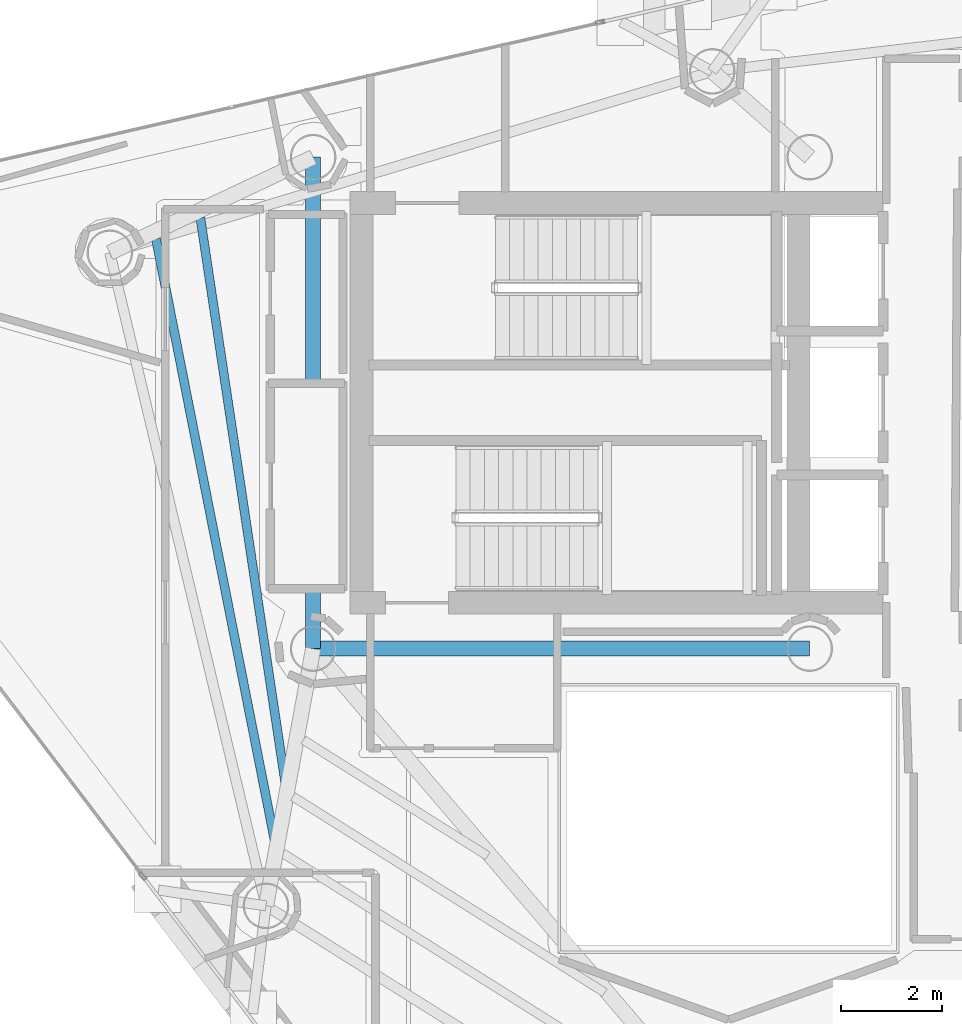
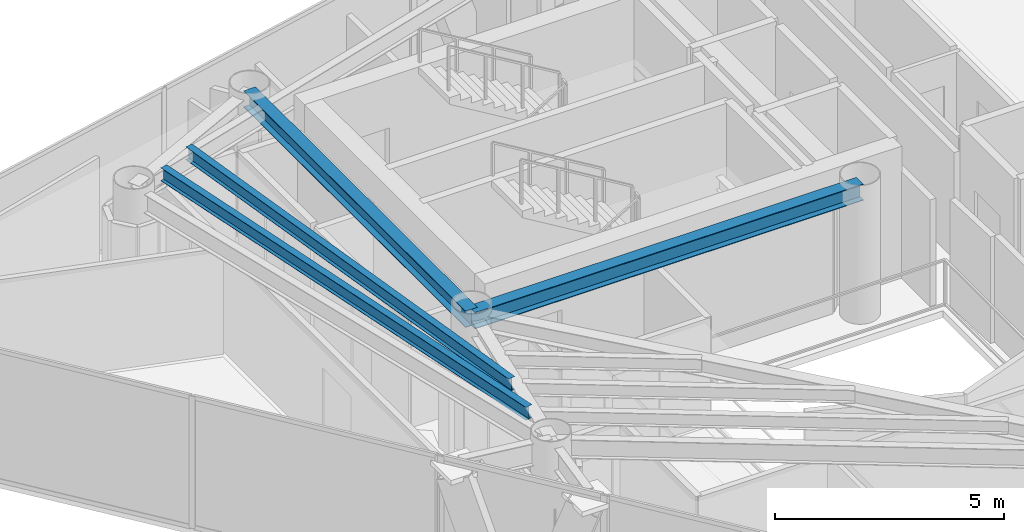
# One storey, part 9 of 24: 4 beams.
"""IFC4 building model written with IfcOpenShell, lengths in metres."""

from ifc_helpers import new_model, si_unit, direction, frame, origin, origin_2d, place, context, subcontext, project, spatial, i_section, extrude, material, material_profile, profile_set, type_object, element, save


model = new_model("IFC4")

# Units and contexts
model_context = context("Model", 3, precision=1e-05, world=origin(), true_north=direction((0.0, 1.0)))
body_context = subcontext(model_context, "Body", "Model", "MODEL_VIEW")
ifc_project = project(units=[si_unit("LENGTHUNIT", "METRE"), si_unit("AREAUNIT", "SQUARE_METRE"), si_unit("VOLUMEUNIT", "CUBIC_METRE"), si_unit("PLANEANGLEUNIT", "RADIAN"), si_unit("MASSUNIT", "GRAM", prefix="KILO")], contexts=[model_context])

# Site, building, storey
site_placement = place(None, origin())
site = spatial("IfcSite", under=ifc_project, at=site_placement, CompositionType="ELEMENT")
building_placement = place(site_placement, origin())
building = spatial("IfcBuilding", under=site, at=building_placement, Name="Qianvela Tower", CompositionType="ELEMENT")
storey_placement = place(building_placement, frame((0.0, 0.0, 306.5)))
storey = spatial("IfcBuildingStorey", under=building, at=storey_placement, Name="L79", CompositionType="ELEMENT", Elevation=306.5)

# Beams
ifc_material_1 = material(Name="Steel Q355B", Category="steel")
ifc_material_profile_1 = material_profile(ifc_material_1, i_section(OverallWidth=0.300048828125, OverallDepth=0.43994140625, WebThickness=0.010986328125, FlangeThickness=0.01806640625, at=origin_2d()), Name="HM440x300x11x18")
ifc_profile_set_1 = profile_set([ifc_material_profile_1], Name="Steel Q355B")
beam_type_1 = type_object("IfcBeamType", Name="BM-HM440-COLL", PredefinedType="BEAM", material=ifc_profile_set_1)
beam_1_placement = place(storey_placement, frame((28.60009765625, 23.85009765625, 3.298095703125), z_axis=(1.0, 0.0, 0.0), x_axis=(0.0, 1.0, 0.0)))
element("IfcBeam", 1, at=beam_1_placement, inside=storey, type_object=beam_type_1, Name="L79 Core Ring Collector Girder CC1", PredefinedType="BEAM", context=body_context, shape_type="SweptSolid", body=[
    extrude(i_section(OverallWidth=0.300048828125, OverallDepth=0.43994140625, WebThickness=0.010986328125, FlangeThickness=0.01806640625, at=origin_2d()), origin(), (0.0, 0.0, 1.0), 9.7998046875),
])
beam_2_placement = place(storey_placement, frame((28.60009765625, 33.550048828125, 3.298095703125), z_axis=(0.0, -1.0, 0.0), x_axis=(1.0, 0.0, 0.0)))
element("IfcBeam", 2, at=beam_2_placement, inside=storey, type_object=beam_type_1, Name="L79 Core Ring Collector Girder CC2", PredefinedType="BEAM", context=body_context, shape_type="SweptSolid", body=[
    extrude(i_section(OverallWidth=0.300048828125, OverallDepth=0.43994140625, WebThickness=0.010986328125, FlangeThickness=0.01806640625, at=origin_2d()), origin(), (0.0, 0.0, 1.0), 9.699951171875),
])
ifc_material_2 = material(Name="Steel Q355B", Category="steel")
ifc_material_profile_2 = material_profile(ifc_material_2, i_section(OverallWidth=0.175048828125, OverallDepth=0.35009765625, WebThickness=0.007080078125, FlangeThickness=0.010986328125, at=origin_2d()), Name="HN350x175x7x11")
ifc_profile_set_2 = profile_set([ifc_material_profile_2], Name="Steel Q355B")
beam_type_2 = type_object("IfcBeamType", Name="BM-HN350-JOIST", PredefinedType="JOIST", material=ifc_profile_set_2)
beam_3_placement = place(storey_placement, frame((26.37451171875, 32.348876953125, 3.343017578125), z_axis=(0.148647266964, -0.988890282096, 0.0), x_axis=(0.988890282096, 0.148647266964, 0.0)))
element("IfcBeam", 3, at=beam_3_placement, inside=storey, type_object=beam_type_2, Name="L79 Secondary Composite Floor Joist 3.2", PredefinedType="JOIST", context=body_context, shape_type="SweptSolid", body=[
    extrude(i_section(OverallWidth=0.175048828125, OverallDepth=0.35009765625, WebThickness=0.007080078125, FlangeThickness=0.010986328125, at=origin_2d()), origin(), (0.0, 0.0, 1.0), 11.32275390625),
])
beam_4_placement = place(storey_placement, frame((25.498046875, 31.934814453125, 3.343017578125), z_axis=(0.193576445355, -0.981085194977, 0.0), x_axis=(0.981085194977, 0.193576445355, 0.0)))
element("IfcBeam", 4, at=beam_4_placement, inside=storey, type_object=beam_type_2, Name="L79 Secondary Composite Floor Joist 3.3", PredefinedType="JOIST", context=body_context, shape_type="SweptSolid", body=[
    extrude(i_section(OverallWidth=0.175048828125, OverallDepth=0.35009765625, WebThickness=0.007080078125, FlangeThickness=0.010986328125, at=origin_2d()), origin(), (0.0, 0.0, 1.0), 12.13037109375),
])

save(model, "model.ifc")
